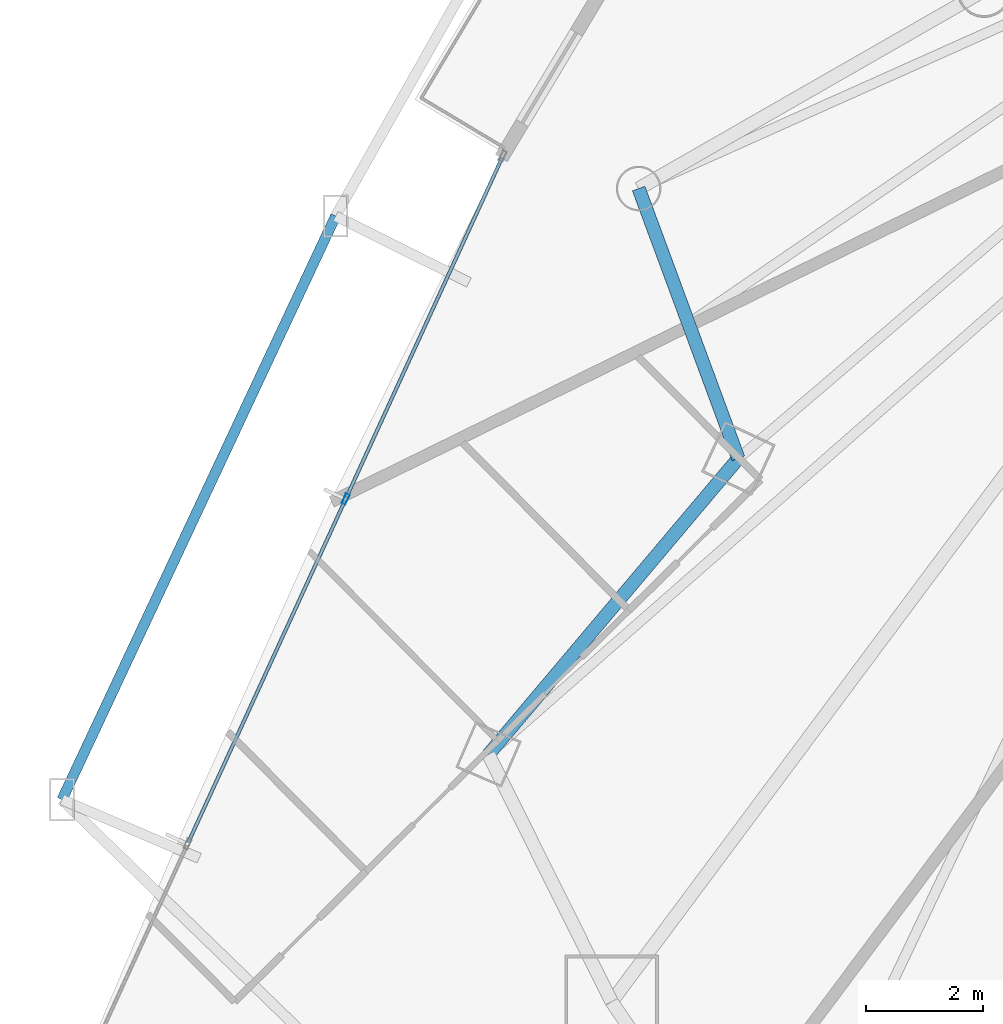
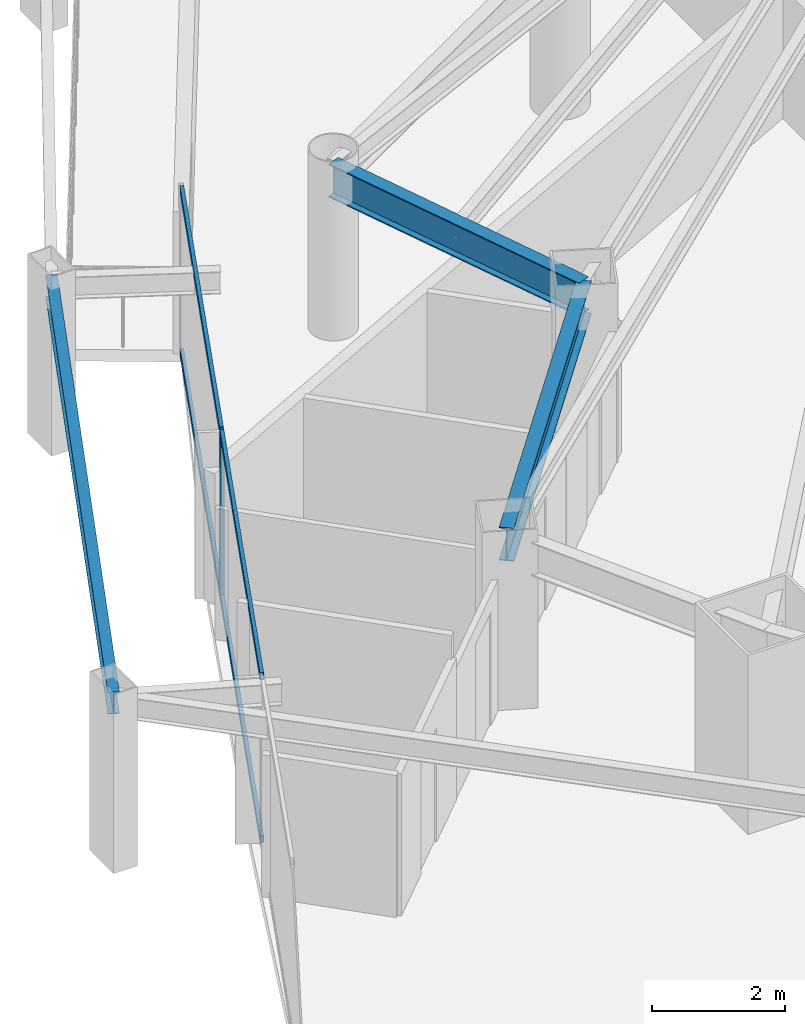
# One storey, part 8 of 35: 5 members, 3 beams, 1 element without a shape of its own.
"""IFC4 building model written with IfcOpenShell, lengths in metres."""

from ifc_helpers import new_model, si_unit, direction, frame, origin, origin_2d, place, context, subcontext, project, spatial, hollow_rectangle, i_section, extrude, material, layer, layer_set, material_profile, profile_set, type_object, element, aggregate, save


model = new_model("IFC4")

# Units and contexts
model_context = context("Model", 3, precision=1e-05, world=origin(), true_north=direction((0.0, 1.0)))
body_context = subcontext(model_context, "Body", "Model", "MODEL_VIEW")
ifc_project = project(units=[si_unit("LENGTHUNIT", "METRE"), si_unit("AREAUNIT", "SQUARE_METRE"), si_unit("VOLUMEUNIT", "CUBIC_METRE"), si_unit("PLANEANGLEUNIT", "RADIAN"), si_unit("MASSUNIT", "GRAM", prefix="KILO")], contexts=[model_context])

# Site, building, storey
site_placement = place(None, origin())
site = spatial("IfcSite", under=ifc_project, at=site_placement, CompositionType="ELEMENT")
building_placement = place(site_placement, origin())
building = spatial("IfcBuilding", under=site, at=building_placement, Name="Orvanel Arch Residences", CompositionType="ELEMENT")
storey_placement = place(building_placement, frame((0.0, 0.0, 33.5)))
storey = spatial("IfcBuildingStorey", under=building, at=storey_placement, Name="L08", CompositionType="ELEMENT", Elevation=33.5)

# Curtain wall, member
ifc_material_1 = material(Name="Bronze-anodised aluminium AA6063-T6", Category="aluminium")
ifc_layer = layer(ifc_material_1, 0.179931640625)
ifc_layer_set = layer_set([ifc_layer], Name="Bronze-anodised aluminium AA6063-T6")
curtain_wall_type = type_object("IfcCurtainWallType", Name="CW2-LOW-SYS", PredefinedType="NOTDEFINED", material=ifc_layer_set)
curtain_wall_placement = place(storey_placement, origin())
curtain_wall = element("IfcCurtainWall", 1, at=curtain_wall_placement, inside=storey, type_object=curtain_wall_type, Name="L08 CW2-LOW-SYS Unitised Curtain Wall", PredefinedType="NOTDEFINED")
ifc_material_profile_1 = material_profile(ifc_material_1, hollow_rectangle(XDim=0.070068359375, YDim=0.179931640625, WallThickness=0.00439453125, at=origin_2d()), Name="ALU180x70x4.5")
ifc_profile_set_1 = profile_set([ifc_material_profile_1], Name="Bronze-anodised aluminium AA6063-T6")
member_type_1 = type_object("IfcMemberType", Name="MUL-180x70", PredefinedType="MULLION", material=ifc_profile_set_1)
member_1_placement = place(storey_placement, frame((9.651611328125, 18.946044921875, 0.0), z_axis=(0.0, 0.0, 1.0), x_axis=(0.909118333197, -0.416537940944, 0.0)))
member_1 = element("IfcMember", 2, at=member_1_placement, type_object=member_type_1, Name="CW-S2 mullion 2", PredefinedType="MULLION", context=body_context, shape_type="SweptSolid", body=[
    extrude(hollow_rectangle(XDim=0.070068359375, YDim=0.179931640625, WallThickness=0.00439453125, at=origin_2d()), origin(), (0.0, 0.0, 1.0), 3.06005859375),
])

# Beams
ifc_material_2 = material(Name="Structural steel AS/NZS 3679.1 Grade 300 (300 MPa)", Category="steel")
ifc_material_profile_2 = material_profile(ifc_material_2, i_section(OverallWidth=0.177978515625, OverallDepth=0.406005859375, WebThickness=0.0078125, FlangeThickness=0.0126953125, at=origin_2d()), Name="410UB59.7")
ifc_profile_set_2 = profile_set([ifc_material_profile_2], Name="Structural steel AS/NZS 3679.1 Grade 300 (300 MPa)")
beam_type_1 = type_object("IfcBeamType", Name="OB-410UB-EXT", PredefinedType="SPANDREL", material=ifc_profile_set_2)
beam_1_placement = place(storey_placement, frame((9.47998046875, 23.785888671875, 2.85693359375), z_axis=(-0.424462247881, -0.905445636206, 0.0), x_axis=(0.905445636206, -0.424462247881, 0.0)))
element("IfcBeam", 3, at=beam_1_placement, inside=storey, type_object=beam_type_1, Name="L08 Outer Perimeter Floor Ring Beam 03", PredefinedType="SPANDREL", context=body_context, shape_type="SweptSolid", body=[
    extrude(i_section(OverallWidth=0.177978515625, OverallDepth=0.406005859375, WebThickness=0.0078125, FlangeThickness=0.0126953125, at=origin_2d()), origin(), (0.0, 0.0, 1.0), 11.023193359375),
])
ifc_material_profile_3 = material_profile(ifc_material_2, i_section(OverallWidth=0.22900390625, OverallDepth=0.612060546875, WebThickness=0.011962890625, FlangeThickness=0.01953125, at=origin_2d()), Name="610UB125")
ifc_profile_set_3 = profile_set([ifc_material_profile_3], Name="Structural steel AS/NZS 3679.1 Grade 300 (300 MPa)")
beam_type_2 = type_object("IfcBeamType", Name="SP-610UB", PredefinedType="SPANDREL", material=ifc_profile_set_3)
beam_2_placement = place(storey_placement, frame((16.366943359375, 19.64208984375, 2.75390625), z_axis=(-0.644950329775, -0.764224490659, 0.0), x_axis=(0.764224490659, -0.644950329775, 0.0)))
element("IfcBeam", 4, at=beam_2_placement, inside=storey, type_object=beam_type_2, Name="L08 Perimeter Spandrel Beam 01", PredefinedType="SPANDREL", context=body_context, shape_type="SweptSolid", body=[
    extrude(i_section(OverallWidth=0.22900390625, OverallDepth=0.612060546875, WebThickness=0.011962890625, FlangeThickness=0.01953125, at=origin_2d()), origin(), (0.0, 0.0, 1.0), 6.623779296875),
])
beam_3_placement = place(storey_placement, frame((14.662109375, 24.256103515625, 2.75390625), z_axis=(0.346588434017, -0.938017301229, 0.0), x_axis=(0.938017301229, 0.346588434017, 0.0)))
element("IfcBeam", 5, at=beam_3_placement, inside=storey, type_object=beam_type_2, Name="L08 Perimeter Spandrel Beam 22", PredefinedType="SPANDREL", context=body_context, shape_type="SweptSolid", body=[
    extrude(i_section(OverallWidth=0.22900390625, OverallDepth=0.612060546875, WebThickness=0.011962890625, FlangeThickness=0.01953125, at=origin_2d()), origin(), (0.0, 0.0, 1.0), 4.9189453125),
])

# Member
ifc_material_profile_4 = material_profile(ifc_material_1, hollow_rectangle(XDim=0.06005859375, YDim=0.135009765625, WallThickness=0.00390625, at=origin_2d()), Name="ALU135x60x4")
ifc_profile_set_4 = profile_set([ifc_material_profile_4], Name="Bronze-anodised aluminium AA6063-T6")
member_type_2 = type_object("IfcMemberType", Name="TRN-135x60", PredefinedType="USERDEFINED", material=ifc_profile_set_4)
member_2_placement = place(storey_placement, frame((12.324951171875, 24.7802734375, 0.030029296875), z_axis=(-0.416553290639, -0.909111300149, 0.0), x_axis=(0.909111300149, -0.416553290639, 0.0)))
member_2 = element("IfcMember", 6, at=member_2_placement, type_object=member_type_2, Name="CW-S2 transom 1.1", ObjectType="TRANSOM", PredefinedType="USERDEFINED", context=body_context, shape_type="SweptSolid", body=[
    extrude(hollow_rectangle(XDim=0.06005859375, YDim=0.135009765625, WallThickness=0.00390625, at=origin_2d()), origin(), (0.0, 0.0, 1.0), 6.382568359375),
])

member_3_placement = place(storey_placement, frame((12.324951171875, 24.7802734375, 3.030029296875), z_axis=(-0.416553290639, -0.909111300149, 0.0), x_axis=(0.909111300149, -0.416553290639, 0.0)))
member_3 = element("IfcMember", 7, at=member_3_placement, type_object=member_type_2, Name="CW-S2 transom 1.2", ObjectType="TRANSOM", PredefinedType="USERDEFINED", context=body_context, shape_type="SweptSolid", body=[
    extrude(hollow_rectangle(XDim=0.06005859375, YDim=0.135009765625, WallThickness=0.00390625, at=origin_2d()), origin(), (0.0, 0.0, 1.0), 6.382568359375),
])

member_4_placement = place(storey_placement, frame((9.63720703125, 18.9140625, 0.030029296875), z_axis=(-0.416566943027, -0.909105044523, 0.0), x_axis=(0.909105044523, -0.416566943027, 0.0)))
member_4 = element("IfcMember", 8, at=member_4_placement, type_object=member_type_2, Name="CW-S2 transom 2.1", ObjectType="TRANSOM", PredefinedType="USERDEFINED", context=body_context, shape_type="SweptSolid", body=[
    extrude(hollow_rectangle(XDim=0.06005859375, YDim=0.135009765625, WallThickness=0.00390625, at=origin_2d()), origin(), (0.0, 0.0, 1.0), 6.41748046875),
])

member_5_placement = place(storey_placement, frame((9.63720703125, 18.9140625, 3.030029296875), z_axis=(-0.416566943027, -0.909105044523, 0.0), x_axis=(0.909105044523, -0.416566943027, 0.0)))
member_5 = element("IfcMember", 9, at=member_5_placement, type_object=member_type_2, Name="CW-S2 transom 2.2", ObjectType="TRANSOM", PredefinedType="USERDEFINED", context=body_context, shape_type="SweptSolid", body=[
    extrude(hollow_rectangle(XDim=0.06005859375, YDim=0.135009765625, WallThickness=0.00390625, at=origin_2d()), origin(), (0.0, 0.0, 1.0), 6.41748046875),
])

aggregate(curtain_wall, [member_1, member_2, member_3, member_4, member_5])

save(model, "model.ifc")
